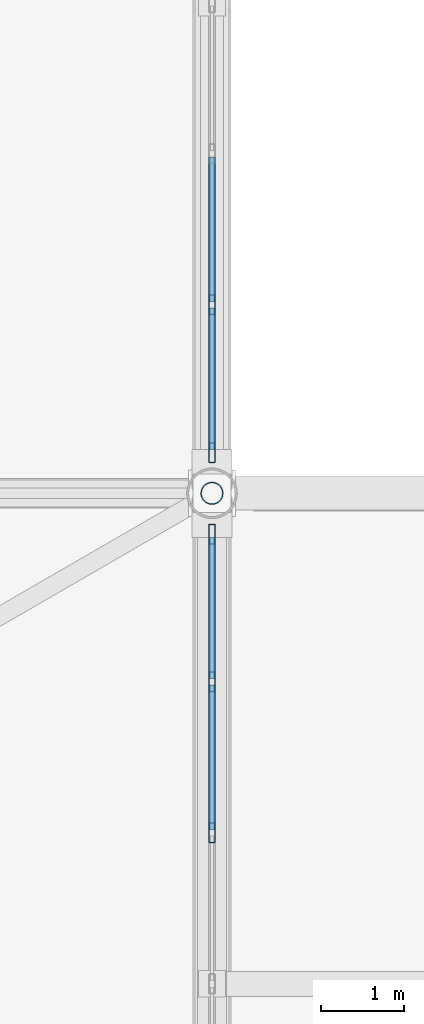
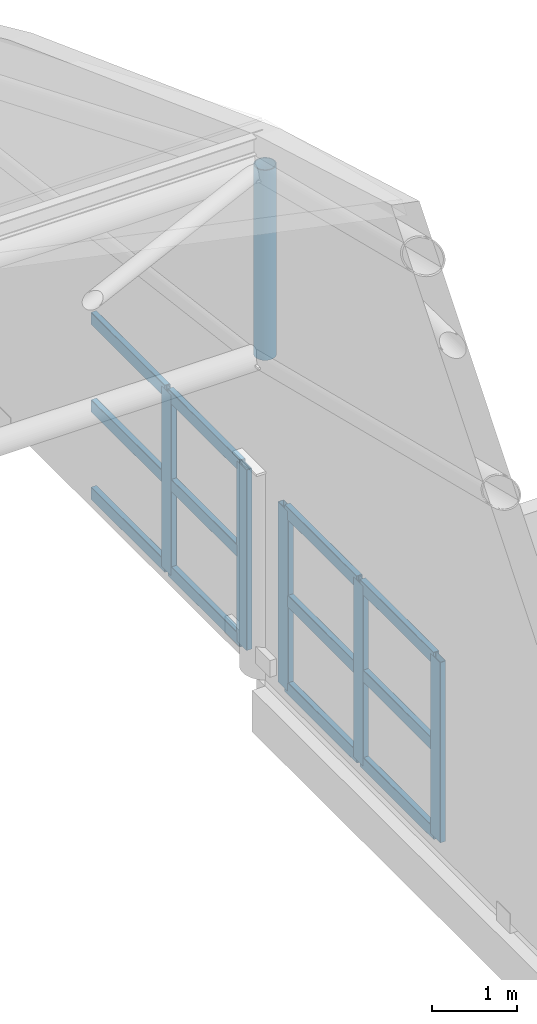
# One storey, part 64 of 135: 18 members, 2 elements without a shape of their own.
"""IFC4 building model written with IfcOpenShell, lengths in metres."""

import ifcopenshell
import ifcopenshell.guid

model = None  # the IFC model being written
_history = None  # IfcOwnerHistory: only IFC2X3 demands one
_inside = {}  # id of a spatial element -> (the spatial element, [elements in it])
_under = {}  # id of a project, library or spatial element -> (it, [spatial elements below it])
_declared = {}  # id of a project -> (the project, [libraries it declares])
_typed = {}  # id of a type object -> (the type object, [elements of that type])
_made_of = {}  # id of a material, layer set ... -> (it, [elements and type objects made of it])


def new_model(schema):
    """Start an empty IFC model of exactly this schema.

    Asked for "IFC4X3", IfcOpenShell would pick the latest addendum, in which some entities
    have other attributes; the version numbers below select the first issue.
    IFC2X3 requires an IfcOwnerHistory on every rooted entity: one is made here for all.
    """
    global model, _history
    if schema == "IFC4X3":
        model = ifcopenshell.file(schema_version=(4, 3, 0, 0))
    else:
        model = ifcopenshell.file(schema=schema)
    _inside.clear()
    _under.clear()
    _declared.clear()
    _typed.clear()
    _made_of.clear()
    _history = None
    if model.schema == "IFC2X3":
        org = make("IfcOrganization", Name="unknown")
        user = make(
            "IfcPersonAndOrganization",
            ThePerson=make("IfcPerson", FamilyName="unknown"),
            TheOrganization=org,
        )
        app = make(
            "IfcApplication",
            ApplicationDeveloper=org,
            Version="unknown",
            ApplicationFullName="unknown",
            ApplicationIdentifier="unknown",
        )
        _history = make(
            "IfcOwnerHistory",
            OwningUser=user,
            OwningApplication=app,
            ChangeAction="ADDED",
            CreationDate=0,
        )
    return model


def make(cls, **values):
    """One entity of the class cls with the attributes given. An attribute that is None is left unset."""
    return model.create_entity(
        cls, **{name: value for name, value in values.items() if value is not None}
    )


def rooted(cls, **values):
    """An entity with a GlobalId (a new one), such as an element, a storey or a relation."""
    return make(cls, GlobalId=ifcopenshell.guid.new(), OwnerHistory=_history, **values)


def si_unit(unit_type, name, prefix=None):
    """IfcSIUnit, for example si_unit("LENGTHUNIT", "METRE", prefix="MILLI")."""
    return make("IfcSIUnit", UnitType=unit_type, Prefix=prefix, Name=name)


def assignment(units):
    """IfcUnitAssignment: the units of a project."""
    return None if units is None else make("IfcUnitAssignment", Units=units)


def point(xyz):
    """IfcCartesianPoint."""
    return None if xyz is None else make("IfcCartesianPoint", Coordinates=xyz)


def direction(xyz):
    """IfcDirection."""
    return None if xyz is None else make("IfcDirection", DirectionRatios=xyz)


def frame(location, z_axis=None, x_axis=None):
    """IfcAxis2Placement3D, a coordinate frame: its origin and axes. An axis left out is left unset."""
    return make(
        "IfcAxis2Placement3D",
        Location=point(location),
        Axis=direction(z_axis),
        RefDirection=direction(x_axis),
    )


def frame_2d(location, x_axis=None):
    """IfcAxis2Placement2D, a coordinate frame in the plane: its origin and x axis."""
    return make(
        "IfcAxis2Placement2D", Location=point(location), RefDirection=direction(x_axis)
    )


def origin():
    """The frame at (0, 0, 0) with its axes left unset."""
    return frame((0.0, 0.0, 0.0))


def origin_2d():
    """The frame at (0, 0) in the plane with its x axis left unset."""
    return frame_2d((0.0, 0.0))


def place(relative_to, where):
    """IfcLocalPlacement: puts the frame where relative to a parent placement (None: the world)."""
    return make(
        "IfcLocalPlacement", PlacementRelTo=relative_to, RelativePlacement=where
    )


def context(
    kind, dimensions, precision=None, world=None, true_north=None, identifier=None
):
    """IfcGeometricRepresentationContext, for example the 3D "Model" context."""
    return make(
        "IfcGeometricRepresentationContext",
        ContextIdentifier=identifier,
        ContextType=kind,
        CoordinateSpaceDimension=dimensions,
        Precision=precision,
        WorldCoordinateSystem=world,
        TrueNorth=true_north,
    )


def subcontext(parent, identifier, kind, view, scale=None):
    """IfcGeometricRepresentationSubContext, for example "Body" below "Model"."""
    return make(
        "IfcGeometricRepresentationSubContext",
        ContextIdentifier=identifier,
        ContextType=kind,
        ParentContext=parent,
        TargetScale=scale,
        TargetView=view,
    )


def project(units=None, contexts=None):
    """IfcProject with its units and contexts."""
    return rooted(
        "IfcProject",
        Name="project",
        RepresentationContexts=contexts,
        UnitsInContext=assignment(units),
    )


def spatial(cls, under=None, at=None, **own):
    """A site, building, storey or space (cls), placed at a placement, below another one or the project."""
    s = rooted(cls, ObjectPlacement=at, **own)
    if under is not None:
        _under.setdefault(under.id(), (under, []))[1].append(s)
    return s


def profile(cls, at=None, kind="AREA", **sizes):
    """A parametric profile (cls). Its sizes go by their IFC names, for example OverallWidth=200.0."""
    return make(cls, ProfileType=kind, Position=at, **sizes)


def hollow_rectangle(**sizes):
    """IfcRectangleHollowProfileDef."""
    return profile("IfcRectangleHollowProfileDef", **sizes)


def hollow_circle(**sizes):
    """IfcCircleHollowProfileDef."""
    return profile("IfcCircleHollowProfileDef", **sizes)


def extrude(swept, where, along, depth):
    """IfcExtrudedAreaSolid: the profile swept, set in the frame where, extruded along a direction by depth."""
    return make(
        "IfcExtrudedAreaSolid",
        SweptArea=swept,
        Position=where,
        ExtrudedDirection=direction(along),
        Depth=depth,
    )


def shape(context_of_items, identifier, shape_type, items):
    """IfcShapeRepresentation: the items that make up one representation, for example the "Body"."""
    return make(
        "IfcShapeRepresentation",
        ContextOfItems=context_of_items,
        RepresentationIdentifier=identifier,
        RepresentationType=shape_type,
        Items=items,
    )


def material(Name=None, Category=None):
    """IfcMaterial."""
    return make("IfcMaterial", Name=Name, Category=Category)


def material_profile(
    of_material, cross_section, Name=None, Category=None, Priority=None
):
    """IfcMaterialProfile: a cross section and its material."""
    return make(
        "IfcMaterialProfile",
        Name=Name,
        Material=of_material,
        Profile=cross_section,
        Priority=Priority,
        Category=Category,
    )


def profile_set(profiles, Name=None, composite=None):
    """IfcMaterialProfileSet."""
    return make(
        "IfcMaterialProfileSet",
        Name=Name,
        MaterialProfiles=profiles,
        CompositeProfile=composite,
    )


def made_of(thing, what):
    """Note that an element or type object is made of a material, layer set ...; save() writes the relation."""
    if what is not None:
        _made_of.setdefault(what.id(), (what, []))[1].append(thing)
    return thing


def type_object(cls, material=None, **own):
    """A type object (cls), such as IfcWallType, which elements share."""
    return made_of(rooted(cls, **own), material)


def element(
    cls,
    number,
    at=None,
    inside=None,
    cuts=None,
    type_object=None,
    material=None,
    context=None,
    identifier="Body",
    shape_type=None,
    held_by="IfcProductDefinitionShape",
    body=None,
    shapes=None,
    **own,
):
    """One element of the class cls, such as IfcWall. Its Tag is "e" and its number.

    at: its placement. inside: the storey or other place that contains it. cuts: it is an
    opening in that element (IfcRelVoidsElement). A single representation is given by context,
    identifier, shape_type and body (its items); several are given by shapes. held_by: the class
    of the entity that holds the representations. save() writes the other relations.
    """
    e = rooted(cls, Tag="e%d" % number, ObjectPlacement=at, **own)
    if body is not None:
        shapes = [shape(context, identifier, shape_type, body)]
    if shapes is not None:
        e.Representation = make(held_by, Representations=shapes)
    if inside is not None:
        _inside.setdefault(inside.id(), (inside, []))[1].append(e)
    if cuts is not None:
        rooted(
            "IfcRelVoidsElement", RelatingBuildingElement=cuts, RelatedOpeningElement=e
        )
    if type_object is not None:
        _typed.setdefault(type_object.id(), (type_object, []))[1].append(e)
    return made_of(e, material)


def aggregate(whole, parts):
    """IfcRelAggregates: a whole, such as a stair, and the parts it consists of."""
    return rooted("IfcRelAggregates", RelatingObject=whole, RelatedObjects=parts)


def save(model, path):
    """Write the relations noted so far, then the file.

    IfcRelAggregates (storeys below a building ...), IfcRelContainedInSpatialStructure (elements
    in a storey), IfcRelDefinesByType, IfcRelAssociatesMaterial and IfcRelDeclares: one each for
    every whole, place, type object, material and project.
    """
    for whole, parts in _under.values():
        aggregate(whole, parts)
    for where, things in _inside.values():
        rooted(
            "IfcRelContainedInSpatialStructure",
            RelatedElements=things,
            RelatingStructure=where,
        )
    for kind, things in _typed.values():
        rooted("IfcRelDefinesByType", RelatedObjects=things, RelatingType=kind)
    for what, things in _made_of.values():
        rooted("IfcRelAssociatesMaterial", RelatedObjects=things, RelatingMaterial=what)
    for by, libraries in _declared.values():
        rooted("IfcRelDeclares", RelatingContext=by, RelatedDefinitions=libraries)
    model.write(path)


model = new_model("IFC4")

# Units and contexts
model_context = context("Model", 3, precision=1e-05, world=origin(), true_north=direction((0.0, 1.0)))
body_context = subcontext(model_context, "Body", "Model", "MODEL_VIEW")
ifc_project = project(units=[si_unit("LENGTHUNIT", "METRE"), si_unit("AREAUNIT", "SQUARE_METRE"), si_unit("VOLUMEUNIT", "CUBIC_METRE"), si_unit("PLANEANGLEUNIT", "RADIAN"), si_unit("MASSUNIT", "GRAM", prefix="KILO")], contexts=[model_context])

# Site, building, storey
site_placement = place(None, origin())
site = spatial("IfcSite", under=ifc_project, at=site_placement, CompositionType="ELEMENT")
building_placement = place(site_placement, origin())
building = spatial("IfcBuilding", under=site, at=building_placement, Name="Brelvane Convention Centre", CompositionType="ELEMENT")
storey_placement = place(building_placement, frame((0.0, 0.0, 15.0)))
storey = spatial("IfcBuildingStorey", under=building, at=storey_placement, Name="L03", CompositionType="ELEMENT", Elevation=15.0)

# Curtain wall, members
ifc_material_1 = material(Name="Anodised Aluminium Alloy 6063-T6", Category="aluminium")
curtain_wall_type = type_object("IfcCurtainWallType", Name="Curtain Wall CW-HULL-N", PredefinedType="USERDEFINED", material=ifc_material_1)
curtain_wall_1_placement = place(storey_placement, origin())
curtain_wall_1 = element("IfcCurtainWall", 1, at=curtain_wall_1_placement, inside=storey, type_object=curtain_wall_type, Name="Curtain Wall CW-HULL-N L03-EXH-E-CLER-5", ObjectType="UNITISED", PredefinedType="USERDEFINED")
ifc_material_2 = material(Name="Anodised Aluminium Alloy 6063-T6", Category="aluminium")
ifc_material_profile_1 = material_profile(ifc_material_2, hollow_rectangle(XDim=0.080078125, YDim=0.239990234375, WallThickness=0.006103515625, InnerFilletRadius=0.006103515625, OuterFilletRadius=0.011962890625, at=origin_2d()), Name="ALU-M 240x80x6.0")
ifc_profile_set_1 = profile_set([ifc_material_profile_1], Name="Anodised Aluminium Alloy 6063-T6")
member_type_1 = type_object("IfcMemberType", Name="Curtain Mullion CW-M1", PredefinedType="MULLION", material=ifc_profile_set_1)
member_1_placement = place(storey_placement, frame((142.800048828125, 83.716552734375, 0.0), z_axis=(0.0, 0.0, 1.0), x_axis=(-1.0, 0.0, 0.0)))
member_1 = element("IfcMember", 2, at=member_1_placement, type_object=member_type_1, Name="CW-HULL-N mullion 5", PredefinedType="MULLION", context=body_context, shape_type="SweptSolid", body=[
    extrude(hollow_rectangle(XDim=0.080078125, YDim=0.239990234375, WallThickness=0.006103515625, InnerFilletRadius=0.006103515625, OuterFilletRadius=0.011962890625, at=origin_2d()), origin(), (0.0, 0.0, 1.0), 2.60009765625),
])
member_2_placement = place(storey_placement, frame((142.800048828125, 85.533447265625, 0.0), z_axis=(0.0, 0.0, 1.0), x_axis=(-1.0, 0.0, 0.0)))
member_2 = element("IfcMember", 3, at=member_2_placement, type_object=member_type_1, Name="CW-HULL-N mullion 6", PredefinedType="MULLION", context=body_context, shape_type="SweptSolid", body=[
    extrude(hollow_rectangle(XDim=0.080078125, YDim=0.239990234375, WallThickness=0.006103515625, InnerFilletRadius=0.006103515625, OuterFilletRadius=0.011962890625, at=origin_2d()), origin(), (0.0, 0.0, 1.0), 2.60009765625),
])
member_3_placement = place(storey_placement, frame((142.800048828125, 87.31005859375, 0.0), z_axis=(0.0, 0.0, 1.0), x_axis=(-1.0, 0.0, 0.0)))
member_3 = element("IfcMember", 4, at=member_3_placement, type_object=member_type_1, Name="CW-HULL-N mullion 7", PredefinedType="MULLION", context=body_context, shape_type="SweptSolid", body=[
    extrude(hollow_rectangle(XDim=0.080078125, YDim=0.239990234375, WallThickness=0.006103515625, InnerFilletRadius=0.006103515625, OuterFilletRadius=0.011962890625, at=origin_2d()), origin(), (0.0, 0.0, 1.0), 2.60009765625),
])

curtain_wall_2_placement = place(storey_placement, origin())
curtain_wall_2 = element("IfcCurtainWall", 5, at=curtain_wall_2_placement, inside=storey, type_object=curtain_wall_type, Name="Curtain Wall CW-HULL-N L03-EXH-E-CLER-6", ObjectType="UNITISED", PredefinedType="USERDEFINED")
member_4_placement = place(storey_placement, frame((142.800048828125, 88.2900390625, 0.0), z_axis=(0.0, 0.0, 1.0), x_axis=(-1.0, 0.0, 0.0)))
member_4 = element("IfcMember", 6, at=member_4_placement, type_object=member_type_1, Name="CW-HULL-N mullion 1", PredefinedType="MULLION", context=body_context, shape_type="SweptSolid", body=[
    extrude(hollow_rectangle(XDim=0.080078125, YDim=0.239990234375, WallThickness=0.006103515625, InnerFilletRadius=0.006103515625, OuterFilletRadius=0.011962890625, at=origin_2d()), origin(), (0.0, 0.0, 1.0), 2.60009765625),
])
member_5_placement = place(storey_placement, frame((142.800048828125, 90.066650390625, 0.0), z_axis=(0.0, 0.0, 1.0), x_axis=(-1.0, 0.0, 0.0)))
member_5 = element("IfcMember", 7, at=member_5_placement, type_object=member_type_1, Name="CW-HULL-N mullion 2", PredefinedType="MULLION", context=body_context, shape_type="SweptSolid", body=[
    extrude(hollow_rectangle(XDim=0.080078125, YDim=0.239990234375, WallThickness=0.006103515625, InnerFilletRadius=0.006103515625, OuterFilletRadius=0.011962890625, at=origin_2d()), origin(), (0.0, 0.0, 1.0), 2.60009765625),
])

# Member
ifc_material_3 = material(Name="Anodised Aluminium Alloy 6063-T6", Category="aluminium")
ifc_material_profile_2 = material_profile(ifc_material_3, hollow_rectangle(XDim=0.080078125, YDim=0.179931640625, WallThickness=0.0048828125, InnerFilletRadius=0.0048828125, OuterFilletRadius=0.010009765625, at=origin_2d()), Name="ALU-T 180x80x5.0")
ifc_profile_set_2 = profile_set([ifc_material_profile_2], Name="Anodised Aluminium Alloy 6063-T6")
member_type_2 = type_object("IfcMemberType", Name="Curtain Transom CW-T1", PredefinedType="USERDEFINED", material=ifc_profile_set_2)
member_6_placement = place(storey_placement, frame((142.800048828125, 83.756591796875, 0.0400390625), z_axis=(0.0, 1.0, 0.0), x_axis=(-1.0, 0.0, 0.0)))
member_6 = element("IfcMember", 8, at=member_6_placement, type_object=member_type_2, Name="CW-HULL-N transom 5.1", ObjectType="TRANSOM", PredefinedType="USERDEFINED", context=body_context, shape_type="SweptSolid", body=[
    extrude(hollow_rectangle(XDim=0.080078125, YDim=0.179931640625, WallThickness=0.0048828125, InnerFilletRadius=0.0048828125, OuterFilletRadius=0.010009765625, at=origin_2d()), origin(), (0.0, 0.0, 1.0), 1.73681640625),
])

member_7_placement = place(storey_placement, frame((142.800048828125, 83.756591796875, 1.300048828125), z_axis=(0.0, 1.0, 0.0), x_axis=(-1.0, 0.0, 0.0)))
member_7 = element("IfcMember", 9, at=member_7_placement, type_object=member_type_2, Name="CW-HULL-N transom 5.2", ObjectType="TRANSOM", PredefinedType="USERDEFINED", context=body_context, shape_type="SweptSolid", body=[
    extrude(hollow_rectangle(XDim=0.080078125, YDim=0.179931640625, WallThickness=0.0048828125, InnerFilletRadius=0.0048828125, OuterFilletRadius=0.010009765625, at=origin_2d()), origin(), (0.0, 0.0, 1.0), 1.73681640625),
])

member_8_placement = place(storey_placement, frame((142.800048828125, 83.756591796875, 2.56005859375), z_axis=(0.0, 1.0, 0.0), x_axis=(-1.0, 0.0, 0.0)))
member_8 = element("IfcMember", 10, at=member_8_placement, type_object=member_type_2, Name="CW-HULL-N transom 5.3", ObjectType="TRANSOM", PredefinedType="USERDEFINED", context=body_context, shape_type="SweptSolid", body=[
    extrude(hollow_rectangle(XDim=0.080078125, YDim=0.179931640625, WallThickness=0.0048828125, InnerFilletRadius=0.0048828125, OuterFilletRadius=0.010009765625, at=origin_2d()), origin(), (0.0, 0.0, 1.0), 1.73681640625),
])

member_9_placement = place(storey_placement, frame((142.800048828125, 85.5732421875, 0.0400390625), z_axis=(0.0, 1.0, 0.0), x_axis=(-1.0, 0.0, 0.0)))
member_9 = element("IfcMember", 11, at=member_9_placement, type_object=member_type_2, Name="CW-HULL-N transom 6.1", ObjectType="TRANSOM", PredefinedType="USERDEFINED", context=body_context, shape_type="SweptSolid", body=[
    extrude(hollow_rectangle(XDim=0.080078125, YDim=0.179931640625, WallThickness=0.0048828125, InnerFilletRadius=0.0048828125, OuterFilletRadius=0.010009765625, at=origin_2d()), origin(), (0.0, 0.0, 1.0), 1.69677734375),
])

member_10_placement = place(storey_placement, frame((142.800048828125, 85.5732421875, 1.300048828125), z_axis=(0.0, 1.0, 0.0), x_axis=(-1.0, 0.0, 0.0)))
member_10 = element("IfcMember", 12, at=member_10_placement, type_object=member_type_2, Name="CW-HULL-N transom 6.2", ObjectType="TRANSOM", PredefinedType="USERDEFINED", context=body_context, shape_type="SweptSolid", body=[
    extrude(hollow_rectangle(XDim=0.080078125, YDim=0.179931640625, WallThickness=0.0048828125, InnerFilletRadius=0.0048828125, OuterFilletRadius=0.010009765625, at=origin_2d()), origin(), (0.0, 0.0, 1.0), 1.69677734375),
])

member_11_placement = place(storey_placement, frame((142.800048828125, 85.5732421875, 2.56005859375), z_axis=(0.0, 1.0, 0.0), x_axis=(-1.0, 0.0, 0.0)))
member_11 = element("IfcMember", 13, at=member_11_placement, type_object=member_type_2, Name="CW-HULL-N transom 6.3", ObjectType="TRANSOM", PredefinedType="USERDEFINED", context=body_context, shape_type="SweptSolid", body=[
    extrude(hollow_rectangle(XDim=0.080078125, YDim=0.179931640625, WallThickness=0.0048828125, InnerFilletRadius=0.0048828125, OuterFilletRadius=0.010009765625, at=origin_2d()), origin(), (0.0, 0.0, 1.0), 1.69677734375),
])

aggregate(curtain_wall_1, [member_1, member_2, member_3, member_6, member_7, member_8, member_9, member_10, member_11])

member_12_placement = place(storey_placement, frame((142.800048828125, 88.330078125, 0.0400390625), z_axis=(0.0, 1.0, 0.0), x_axis=(-1.0, 0.0, 0.0)))
member_12 = element("IfcMember", 14, at=member_12_placement, type_object=member_type_2, Name="CW-HULL-N transom 1.1", ObjectType="TRANSOM", PredefinedType="USERDEFINED", context=body_context, shape_type="SweptSolid", body=[
    extrude(hollow_rectangle(XDim=0.080078125, YDim=0.179931640625, WallThickness=0.0048828125, InnerFilletRadius=0.0048828125, OuterFilletRadius=0.010009765625, at=origin_2d()), origin(), (0.0, 0.0, 1.0), 1.696533203125),
])

member_13_placement = place(storey_placement, frame((142.800048828125, 88.330078125, 1.300048828125), z_axis=(0.0, 1.0, 0.0), x_axis=(-1.0, 0.0, 0.0)))
member_13 = element("IfcMember", 15, at=member_13_placement, type_object=member_type_2, Name="CW-HULL-N transom 1.2", ObjectType="TRANSOM", PredefinedType="USERDEFINED", context=body_context, shape_type="SweptSolid", body=[
    extrude(hollow_rectangle(XDim=0.080078125, YDim=0.179931640625, WallThickness=0.0048828125, InnerFilletRadius=0.0048828125, OuterFilletRadius=0.010009765625, at=origin_2d()), origin(), (0.0, 0.0, 1.0), 1.696533203125),
])

member_14_placement = place(storey_placement, frame((142.800048828125, 88.330078125, 2.56005859375), z_axis=(0.0, 1.0, 0.0), x_axis=(-1.0, 0.0, 0.0)))
member_14 = element("IfcMember", 16, at=member_14_placement, type_object=member_type_2, Name="CW-HULL-N transom 1.3", ObjectType="TRANSOM", PredefinedType="USERDEFINED", context=body_context, shape_type="SweptSolid", body=[
    extrude(hollow_rectangle(XDim=0.080078125, YDim=0.179931640625, WallThickness=0.0048828125, InnerFilletRadius=0.0048828125, OuterFilletRadius=0.010009765625, at=origin_2d()), origin(), (0.0, 0.0, 1.0), 1.696533203125),
])

member_15_placement = place(storey_placement, frame((142.800048828125, 90.106689453125, 0.0400390625), z_axis=(0.0, 1.0, 0.0), x_axis=(-1.0, 0.0, 0.0)))
member_15 = element("IfcMember", 17, at=member_15_placement, type_object=member_type_2, Name="CW-HULL-N transom 2.1", ObjectType="TRANSOM", PredefinedType="USERDEFINED", context=body_context, shape_type="SweptSolid", body=[
    extrude(hollow_rectangle(XDim=0.080078125, YDim=0.179931640625, WallThickness=0.0048828125, InnerFilletRadius=0.0048828125, OuterFilletRadius=0.010009765625, at=origin_2d()), origin(), (0.0, 0.0, 1.0), 1.736572265625),
])

member_16_placement = place(storey_placement, frame((142.800048828125, 90.106689453125, 1.300048828125), z_axis=(0.0, 1.0, 0.0), x_axis=(-1.0, 0.0, 0.0)))
member_16 = element("IfcMember", 18, at=member_16_placement, type_object=member_type_2, Name="CW-HULL-N transom 2.2", ObjectType="TRANSOM", PredefinedType="USERDEFINED", context=body_context, shape_type="SweptSolid", body=[
    extrude(hollow_rectangle(XDim=0.080078125, YDim=0.179931640625, WallThickness=0.0048828125, InnerFilletRadius=0.0048828125, OuterFilletRadius=0.010009765625, at=origin_2d()), origin(), (0.0, 0.0, 1.0), 1.736572265625),
])

member_17_placement = place(storey_placement, frame((142.800048828125, 90.106689453125, 2.56005859375), z_axis=(0.0, 1.0, 0.0), x_axis=(-1.0, 0.0, 0.0)))
member_17 = element("IfcMember", 19, at=member_17_placement, type_object=member_type_2, Name="CW-HULL-N transom 2.3", ObjectType="TRANSOM", PredefinedType="USERDEFINED", context=body_context, shape_type="SweptSolid", body=[
    extrude(hollow_rectangle(XDim=0.080078125, YDim=0.179931640625, WallThickness=0.0048828125, InnerFilletRadius=0.0048828125, OuterFilletRadius=0.010009765625, at=origin_2d()), origin(), (0.0, 0.0, 1.0), 1.736572265625),
])

aggregate(curtain_wall_2, [member_4, member_5, member_12, member_13, member_14, member_15, member_16, member_17])

ifc_material_4 = material(Name="Steel E350 (350 MPa)", Category="steel")
ifc_material_profile_3 = material_profile(ifc_material_4, hollow_circle(Radius=0.136474609375, WallThickness=0.012451171875, at=origin_2d()), Name="CHS 273.0x12.5")
ifc_profile_set_3 = profile_set([ifc_material_profile_3], Name="Steel E350 (350 MPa)")
member_type_3 = type_object("IfcMemberType", Name="Steel Strut SF-VT1 (CHS 273.0x12.5)", PredefinedType="STRUT", material=ifc_profile_set_3)
member_18_placement = place(storey_placement, frame((142.800048828125, 87.800048828125, 4.489013671875), z_axis=(0.0, 0.0, 1.0), x_axis=(1.0, 0.0, 0.0)))
element("IfcMember", 20, at=member_18_placement, inside=storey, type_object=member_type_3, Name="SF_EXH Space-Frame Post V8.5", PredefinedType="STRUT", context=body_context, shape_type="SweptSolid", body=[
    extrude(hollow_circle(Radius=0.136474609375, WallThickness=0.012451171875, at=origin_2d()), origin(), (0.0, 0.0, 1.0), 2.739990234375),
])

save(model, "model.ifc")
